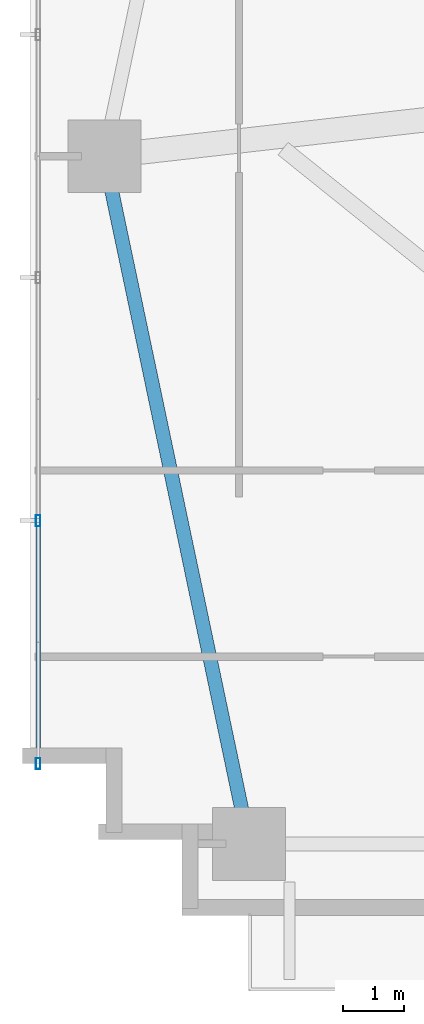
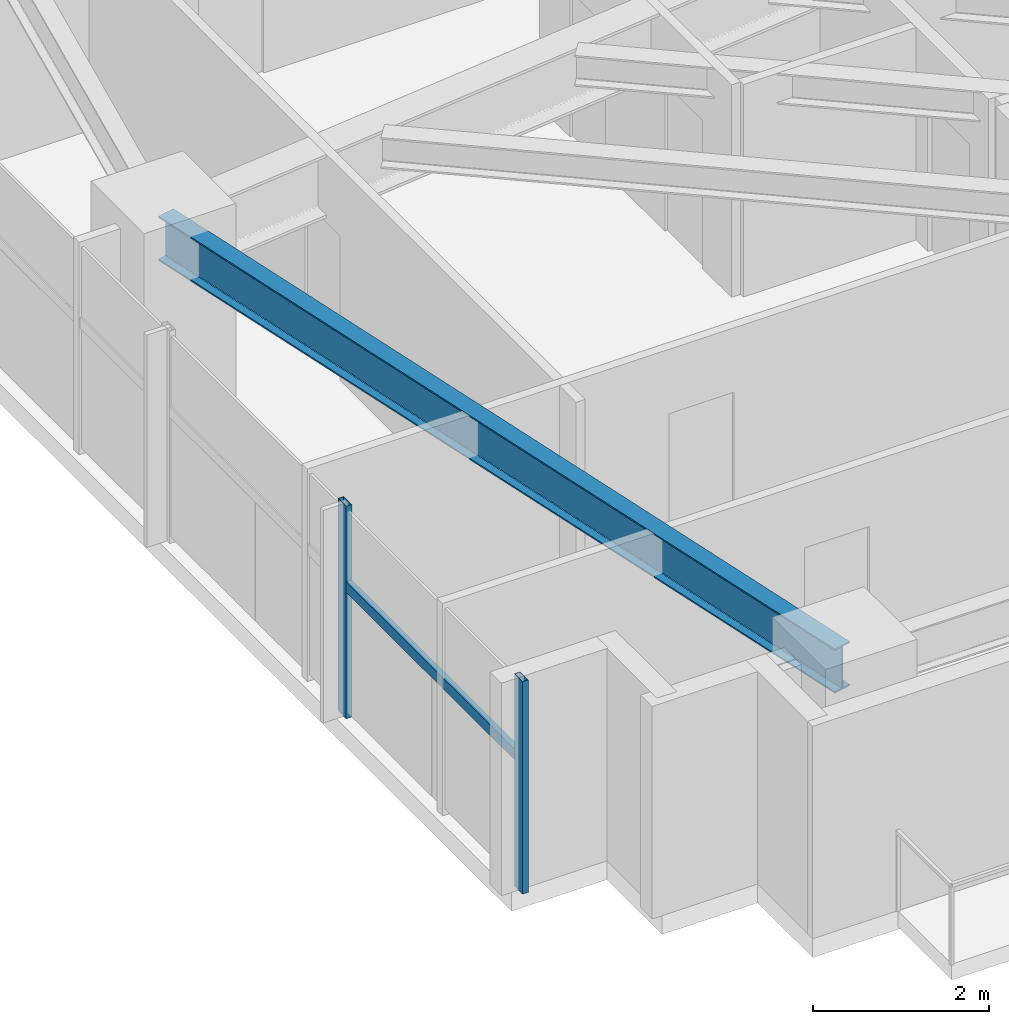
# One storey, part 2 of 25: 3 members, 1 beam, 1 element without a shape of its own.
"""IFC4 building model written with IfcOpenShell, lengths in metres."""

from ifc_helpers import new_model, si_unit, direction, frame, origin, origin_2d, place, context, subcontext, project, spatial, hollow_rectangle, i_section, extrude, source, transform, mapped, material, material_profile, profile_set, type_object, type_shapes, element, aggregate, save


model = new_model("IFC4")

# Units and contexts
model_context = context("Model", 3, precision=1e-05, world=origin(), true_north=direction((0.0, 1.0)))
body_context = subcontext(model_context, "Body", "Model", "MODEL_VIEW")
ifc_project = project(units=[si_unit("LENGTHUNIT", "METRE"), si_unit("AREAUNIT", "SQUARE_METRE"), si_unit("VOLUMEUNIT", "CUBIC_METRE"), si_unit("PLANEANGLEUNIT", "RADIAN"), si_unit("MASSUNIT", "GRAM", prefix="KILO")], contexts=[model_context])

# Site, building, storey
site_placement = place(None, origin())
site = spatial("IfcSite", under=ifc_project, at=site_placement, CompositionType="ELEMENT")
building_placement = place(site_placement, origin())
building = spatial("IfcBuilding", under=site, at=building_placement, Name="Astriad Promenade Condominiums", CompositionType="ELEMENT")
storey_placement = place(building_placement, frame((0.0, 0.0, 58.199951171875)))
storey = spatial("IfcBuildingStorey", under=building, at=storey_placement, Name="L16", CompositionType="ELEMENT", Elevation=58.199951171875)

# Beam
ifc_material_1 = material(Name="Steel ASTM A992 Grade 50", Category="steel")
ifc_material_profile_1 = material_profile(ifc_material_1, i_section(OverallWidth=0.22900390625, OverallDepth=0.612060546875, WebThickness=0.011962890625, FlangeThickness=0.01953125, FilletRadius=0.017822265625, at=origin_2d()), Name="W24X84")
ifc_profile_set_1 = profile_set([ifc_material_profile_1], Name="Steel ASTM A992 Grade 50")
beam_type = type_object("IfcBeamType", Name="STEEL SPANDREL BEAM W24X84", PredefinedType="SPANDREL", material=ifc_profile_set_1)
shared_shape_1 = source(origin(), body_context, "Body", "SweptSolid", [
    extrude(i_section(OverallWidth=0.22900390625, OverallDepth=0.612060546875, WebThickness=0.011962890625, FlangeThickness=0.01953125, FilletRadius=0.017822265625, at=origin_2d()), origin(), (0.0, 0.0, 1.0), 11.487548828125),
])
type_shapes(beam_type, [shared_shape_1])
beam_placement = place(storey_placement, frame((7.0283203125, 15.160888671875, 2.634033203125), z_axis=(0.205748055501, -0.978604995725, 0.0), x_axis=(0.978604995725, 0.205748055501, 0.0)))
element("IfcBeam", 1, at=beam_placement, inside=storey, type_object=beam_type, Name="Perimeter Spandrel Beam SP-W1-L16", PredefinedType="SPANDREL", context=body_context, shape_type="MappedRepresentation", body=[
    mapped(shared_shape_1, transform((0.0, 0.0, 0.0), scale=1.0)),
])

# Curtain wall, members
ifc_material_2 = material(Name="Anodised aluminium Black Dark Glass Unitised", Category="aluminium")
curtain_wall_type = type_object("IfcCurtainWallType", Name="CW-B1-DARK", PredefinedType="USERDEFINED", material=ifc_material_2)
curtain_wall_placement = place(storey_placement, origin())
curtain_wall = element("IfcCurtainWall", 2, at=curtain_wall_placement, inside=storey, type_object=curtain_wall_type, Name="CW-L16-W", ObjectType="UNITISED_CURTAIN_WALL", PredefinedType="USERDEFINED")
ifc_material_3 = material(Name="Anodised aluminium 6063-T6 Black", Category="aluminium")
ifc_material_profile_2 = material_profile(ifc_material_3, hollow_rectangle(XDim=0.074951171875, YDim=0.18505859375, WallThickness=0.00439453125, at=origin_2d()), Name="ALU-MUL-75X185")
ifc_profile_set_2 = profile_set([ifc_material_profile_2], Name="Anodised aluminium 6063-T6 Black")
member_type_1 = type_object("IfcMemberType", Name="MUL-ALU-MUL-75X185", PredefinedType="MULLION", material=ifc_profile_set_2)
shared_shape_2 = source(origin(), body_context, "Body", "SweptSolid", [
    extrude(hollow_rectangle(XDim=0.074951171875, YDim=0.18505859375, WallThickness=0.00439453125, at=origin_2d()), origin(), (0.0, 0.0, 1.0), 2.93994140625),
])
type_shapes(member_type_1, [shared_shape_2])
member_1_placement = place(storey_placement, frame((5.929931640625, 5.199951171875, 0.0), z_axis=(0.0, 0.0, 1.0), x_axis=(1.0, 0.0, 0.0)))
member_1 = element("IfcMember", 3, at=member_1_placement, type_object=member_type_1, Name="CW-L16-W-MUL-00", PredefinedType="MULLION", context=body_context, shape_type="MappedRepresentation", body=[
    mapped(shared_shape_2, transform((0.0, 0.0, 0.0), scale=1.0)),
])
member_2_placement = place(storey_placement, frame((5.929931640625, 9.199951171875, 0.0), z_axis=(0.0, 0.0, 1.0), x_axis=(1.0, 0.0, 0.0)))
member_2 = element("IfcMember", 4, at=member_2_placement, type_object=member_type_1, Name="CW-L16-W-MUL-01", PredefinedType="MULLION", context=body_context, shape_type="MappedRepresentation", body=[
    mapped(shared_shape_2, transform((0.0, 0.0, 0.0), scale=1.0)),
])
ifc_material_profile_3 = material_profile(ifc_material_3, hollow_rectangle(XDim=0.074951171875, YDim=0.14990234375, WallThickness=0.004150390625, at=origin_2d()), Name="ALU-TRN-75X150")
ifc_profile_set_3 = profile_set([ifc_material_profile_3], Name="Anodised aluminium 6063-T6 Black")
member_type_2 = type_object("IfcMemberType", Name="TRN-ALU-TRN-75X150", PredefinedType="USERDEFINED", material=ifc_profile_set_3)
shared_shape_3 = source(origin(), body_context, "Body", "SweptSolid", [
    extrude(hollow_rectangle(XDim=0.074951171875, YDim=0.14990234375, WallThickness=0.004150390625, at=origin_2d()), origin(), (0.0, 0.0, 1.0), 4.0),
])
type_shapes(member_type_2, [shared_shape_3])
member_3_placement = place(storey_placement, frame((5.929931640625, 5.199951171875, 1.82275390625), z_axis=(0.0, 1.0, 0.0), x_axis=(-1.0, 0.0, 0.0)))
member_3 = element("IfcMember", 5, at=member_3_placement, type_object=member_type_2, Name="CW-L16-W-TRN-00-0", ObjectType="TRANSOM", PredefinedType="USERDEFINED", context=body_context, shape_type="MappedRepresentation", body=[
    mapped(shared_shape_3, transform((0.0, 0.0, 0.0), scale=1.0)),
])
aggregate(curtain_wall, [member_1, member_2, member_3])

save(model, "model.ifc")
